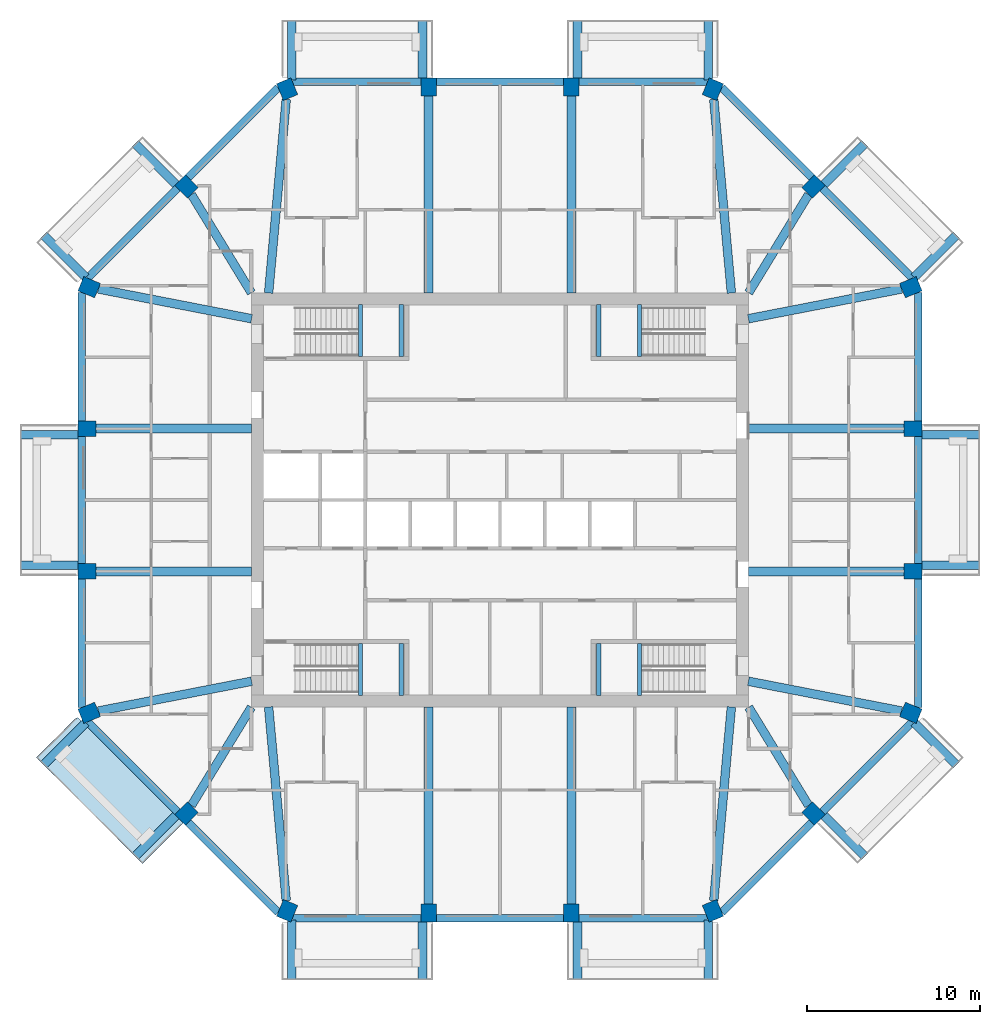
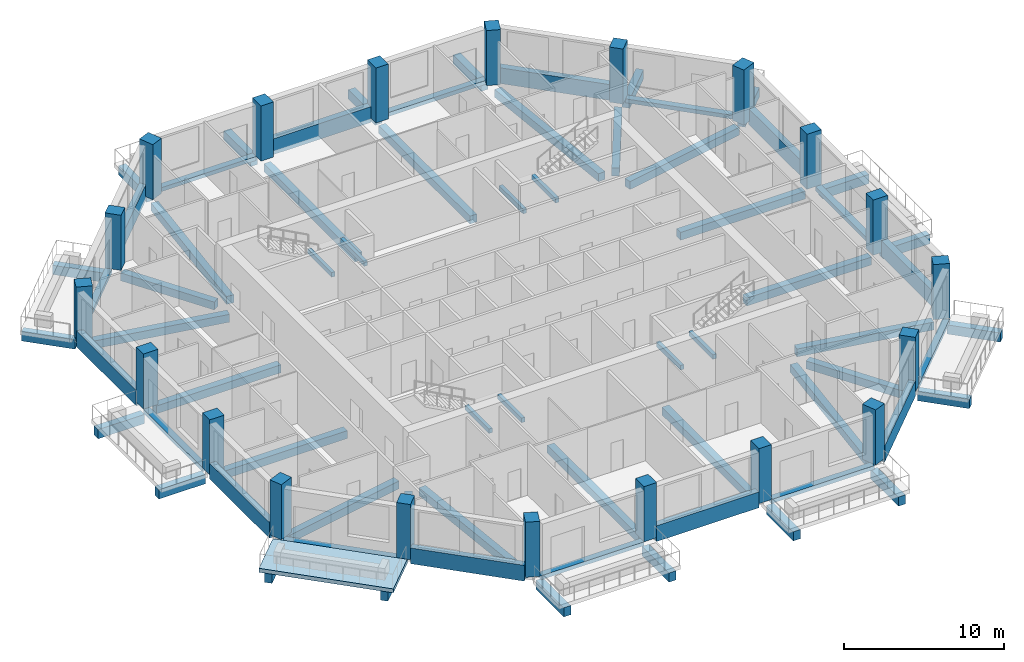
# One storey, part 1 of 12: 68 beams, 20 columns, 1 slab.
"""IFC4 building model written with IfcOpenShell, lengths in metres."""

from ifc_helpers import new_model, si_unit, direction, frame, origin, origin_2d, place, context, subcontext, project, spatial, polyline, rectangle, outline, extrude, material, layer, layer_set, material_profile, profile_set, type_object, element, save


model = new_model("IFC4")

# Units and contexts
model_context = context("Model", 3, precision=1e-05, world=origin(), true_north=direction((0.0, 1.0)))
body_context = subcontext(model_context, "Body", "Model", "MODEL_VIEW")
ifc_project = project(units=[si_unit("LENGTHUNIT", "METRE"), si_unit("AREAUNIT", "SQUARE_METRE"), si_unit("VOLUMEUNIT", "CUBIC_METRE"), si_unit("PLANEANGLEUNIT", "RADIAN"), si_unit("MASSUNIT", "GRAM", prefix="KILO")], contexts=[model_context])

# Site, building, storey
site_placement = place(None, origin())
site = spatial("IfcSite", under=ifc_project, at=site_placement, CompositionType="ELEMENT")
building_placement = place(site_placement, origin())
building = spatial("IfcBuilding", under=site, at=building_placement, Name="Msitu Wima Residences", CompositionType="ELEMENT")
storey_placement = place(building_placement, frame((0.0, 0.0, 179.10009765625)))
storey = spatial("IfcBuildingStorey", under=building, at=storey_placement, Name="L41", CompositionType="ELEMENT", Elevation=179.10009765625)

# Columns
ifc_material_1 = material(Name="Concrete C60/75", Category="concrete")
ifc_material_profile_1 = material_profile(ifc_material_1, rectangle(XDim=0.89990234375, YDim=1.050048828125, at=origin_2d()), Name="RC 900x1050")
ifc_profile_set_1 = profile_set([ifc_material_profile_1], Name="Concrete C60/75")
column_type = type_object("IfcColumnType", Name="Column RC 900x1050 Concrete C60/75", PredefinedType="COLUMN", material=ifc_profile_set_1)
for number, where, z_axis, x_axis, name in (
    (1, (23.792724609375, -12.325927734375, 0.0), (0.0, 0.0, 1.0), (0.382683496864, 0.923879505795, 0.0), "Column L41 C-E0"),
    (2, (23.925048828125, -4.13720703125, 0.0), (0.0, 0.0, 1.0), (0.0, 1.0, 0.0), "Column L41 C-E1"),
    (3, (23.925048828125, 4.13720703125, 0.0), (0.0, 0.0, 1.0), (0.0, 1.0, 0.0), "Column L41 C-E2"),
    (4, (23.792724609375, 12.325927734375, 0.0), (0.0, 0.0, 1.0), (-0.382683496864, 0.923879505795, 0.0), "Column L41 C-NE0"),
    (5, (18.15283203125, 18.15283203125, 0.0), (0.0, 0.0, 1.0), (-0.707106781187, 0.707106781187, 0.0), "Column L41 C-NE1"),
    (6, (12.325927734375, 23.792724609375, 0.0), (0.0, 0.0, 1.0), (-0.923879505795, 0.382683496864, 0.0), "Column L41 C-N0"),
    (7, (4.13720703125, 23.925048828125, 0.0), (0.0, 0.0, 1.0), (-1.0, 0.0, 0.0), "Column L41 C-N1"),
    (8, (-4.13720703125, 23.925048828125, 0.0), (0.0, 0.0, 1.0), (-1.0, 0.0, 0.0), "Column L41 C-N2"),
    (9, (-12.325927734375, 23.792724609375, 0.0), (0.0, 0.0, 1.0), (-0.923879505795, -0.382683496864, 0.0), "Column L41 C-NW0"),
    (10, (-18.15283203125, 18.15283203125, 0.0), (0.0, 0.0, 1.0), (-0.707106781187, -0.707106781187, 0.0), "Column L41 C-NW1"),
    (11, (-23.792724609375, 12.325927734375, 0.0), (0.0, 0.0, 1.0), (-0.382683496864, -0.923879505795, 0.0), "Column L41 C-W0"),
    (12, (-23.925048828125, 4.13720703125, 0.0), (0.0, 0.0, 1.0), (0.0, -1.0, 0.0), "Column L41 C-W1"),
    (13, (-23.925048828125, -4.13720703125, 0.0), (0.0, 0.0, 1.0), (0.0, -1.0, 0.0), "Column L41 C-W2"),
    (14, (-23.792724609375, -12.325927734375, 0.0), (0.0, 0.0, 1.0), (0.382683496864, -0.923879505795, 0.0), "Column L41 C-SW0"),
    (15, (-18.15283203125, -18.15283203125, 0.0), (0.0, 0.0, 1.0), (0.707106781187, -0.707106781187, 0.0), "Column L41 C-SW1"),
    (16, (-12.325927734375, -23.792724609375, 0.0), (0.0, 0.0, 1.0), (0.923879505795, -0.382683496864, 0.0), "Column L41 C-S0"),
    (17, (-4.13720703125, -23.925048828125, 0.0), (0.0, 0.0, 1.0), (1.0, 0.0, 0.0), "Column L41 C-S1"),
    (18, (4.13720703125, -23.925048828125, 0.0), (0.0, 0.0, 1.0), (1.0, 0.0, 0.0), "Column L41 C-S2"),
    (19, (12.325927734375, -23.792724609375, 0.0), (0.0, 0.0, 1.0), (0.923879505795, 0.382683496864, 0.0), "Column L41 C-SE0"),
    (20, (18.15283203125, -18.15283203125, 0.0), (0.0, 0.0, 1.0), (0.707106781187, 0.707106781187, 0.0), "Column L41 C-SE1"),
):
    element("IfcColumn", number, at=place(storey_placement, frame(where, z_axis=z_axis, x_axis=x_axis)), inside=storey, type_object=column_type, Name=name, PredefinedType="COLUMN", context=body_context, shape_type="SweptSolid", body=[
        extrude(rectangle(XDim=0.89990234375, YDim=1.050048828125, at=origin_2d()), origin(), (0.0, 0.0, 1.0), 4.199951171875),
    ])

# Beams
ifc_material_2 = material(Name="Concrete C50/60", Category="concrete")
ifc_material_profile_2 = material_profile(ifc_material_2, rectangle(XDim=0.5, YDim=0.60009765625, at=origin_2d()), Name="RC 500x600")
ifc_profile_set_2 = profile_set([ifc_material_profile_2], Name="Concrete C50/60")
beam_type_1 = type_object("IfcBeamType", Name="Beam RC 500x600 Concrete C50/60", PredefinedType="BEAM", material=ifc_profile_set_2)
beam_1_placement = place(storey_placement, frame((23.266845703125, -12.2236328125, -0.550048828125), z_axis=(-0.981627328559, 0.190808248841, 0.0), x_axis=(-0.190808248841, -0.981627328559, 0.0)))
element("IfcBeam", 21, at=beam_1_placement, inside=storey, type_object=beam_type_1, Name="Beam L41 C-E0", PredefinedType="BEAM", context=body_context, shape_type="SweptSolid", body=[
    extrude(rectangle(XDim=0.5, YDim=0.60009765625, at=origin_2d()), origin(), (0.0, 0.0, 1.0), 9.044921875),
])
for number, where, z_axis, x_axis, name in (
    (22, (23.39990234375, -4.13720703125, -0.550048828125), (-1.0, 0.0, 0.0), (0.0, -1.0, 0.0), "Beam L41 C-E1"),
    (23, (23.39990234375, 4.13720703125, -0.550048828125), (-1.0, 0.0, 0.0), (0.0, -1.0, 0.0), "Beam L41 C-E2"),
):
    element("IfcBeam", number, at=place(storey_placement, frame(where, z_axis=z_axis, x_axis=x_axis)), inside=storey, type_object=beam_type_1, Name=name, PredefinedType="BEAM", context=body_context, shape_type="SweptSolid", body=[
        extrude(rectangle(XDim=0.5, YDim=0.60009765625, at=origin_2d()), origin(), (0.0, 0.0, 1.0), 9.0),
    ])
beam_2_placement = place(storey_placement, frame((23.266845703125, 12.2236328125, -0.550048828125), z_axis=(-0.981627328559, -0.190808248841, 0.0), x_axis=(0.190808248841, -0.981627328559, 0.0)))
element("IfcBeam", 24, at=beam_2_placement, inside=storey, type_object=beam_type_1, Name="Beam L41 C-NE0", PredefinedType="BEAM", context=body_context, shape_type="SweptSolid", body=[
    extrude(rectangle(XDim=0.5, YDim=0.60009765625, at=origin_2d()), origin(), (0.0, 0.0, 1.0), 9.044921875),
])
beam_3_placement = place(storey_placement, frame((17.87158203125, 17.691650390625, -0.550048828125), z_axis=(-0.520734381113, -0.853718750132, 0.0), x_axis=(0.853718750132, -0.520734381113, 0.0)))
element("IfcBeam", 25, at=beam_3_placement, inside=storey, type_object=beam_type_1, Name="Beam L41 C-NE1", PredefinedType="BEAM", context=body_context, shape_type="SweptSolid", body=[
    extrude(rectangle(XDim=0.5, YDim=0.60009765625, at=origin_2d()), origin(), (0.0, 0.0, 1.0), 6.6669921875),
])
beam_4_placement = place(storey_placement, frame((12.379638671875, 23.2021484375, -0.550048828125), z_axis=(0.090713636077, -0.995877018627, 0.0), x_axis=(0.995877018627, 0.090713636077, 0.0)))
element("IfcBeam", 26, at=beam_4_placement, inside=storey, type_object=beam_type_1, Name="Beam L41 C-N0", PredefinedType="BEAM", context=body_context, shape_type="SweptSolid", body=[
    extrude(rectangle(XDim=0.5, YDim=0.60009765625, at=origin_2d()), origin(), (0.0, 0.0, 1.0), 11.260498046875),
])
for number, where, z_axis, x_axis, name in (
    (27, (4.13720703125, 23.39990234375, -0.550048828125), (0.0, -1.0, 0.0), (1.0, 0.0, 0.0), "Beam L41 C-N1"),
    (28, (-4.13720703125, 23.39990234375, -0.550048828125), (0.0, -1.0, 0.0), (1.0, 0.0, 0.0), "Beam L41 C-N2"),
):
    element("IfcBeam", number, at=place(storey_placement, frame(where, z_axis=z_axis, x_axis=x_axis)), inside=storey, type_object=beam_type_1, Name=name, PredefinedType="BEAM", context=body_context, shape_type="SweptSolid", body=[
        extrude(rectangle(XDim=0.5, YDim=0.60009765625, at=origin_2d()), origin(), (0.0, 0.0, 1.0), 11.39990234375),
    ])
beam_5_placement = place(storey_placement, frame((-12.379638671875, 23.2021484375, -0.550048828125), z_axis=(-0.090713636077, -0.995877018627, 0.0), x_axis=(0.995877018627, -0.090713636077, 0.0)))
element("IfcBeam", 29, at=beam_5_placement, inside=storey, type_object=beam_type_1, Name="Beam L41 C-NW0", PredefinedType="BEAM", context=body_context, shape_type="SweptSolid", body=[
    extrude(rectangle(XDim=0.5, YDim=0.60009765625, at=origin_2d()), origin(), (0.0, 0.0, 1.0), 11.260498046875),
])
beam_6_placement = place(storey_placement, frame((-17.87158203125, 17.691650390625, -0.550048828125), z_axis=(0.520734381113, -0.853718750132, 0.0), x_axis=(0.853718750132, 0.520734381113, 0.0)))
element("IfcBeam", 30, at=beam_6_placement, inside=storey, type_object=beam_type_1, Name="Beam L41 C-NW1", PredefinedType="BEAM", context=body_context, shape_type="SweptSolid", body=[
    extrude(rectangle(XDim=0.5, YDim=0.60009765625, at=origin_2d()), origin(), (0.0, 0.0, 1.0), 6.6669921875),
])
beam_7_placement = place(storey_placement, frame((-23.266845703125, 12.2236328125, -0.550048828125), z_axis=(0.981627328559, -0.190808248841, 0.0), x_axis=(0.190808248841, 0.981627328559, 0.0)))
element("IfcBeam", 31, at=beam_7_placement, inside=storey, type_object=beam_type_1, Name="Beam L41 C-W0", PredefinedType="BEAM", context=body_context, shape_type="SweptSolid", body=[
    extrude(rectangle(XDim=0.5, YDim=0.60009765625, at=origin_2d()), origin(), (0.0, 0.0, 1.0), 9.044921875),
])
for number, where, z_axis, x_axis, name in (
    (32, (-23.39990234375, 4.13720703125, -0.550048828125), (1.0, 0.0, 0.0), (0.0, 1.0, 0.0), "Beam L41 C-W1"),
    (33, (-23.39990234375, -4.13720703125, -0.550048828125), (1.0, 0.0, 0.0), (0.0, 1.0, 0.0), "Beam L41 C-W2"),
):
    element("IfcBeam", number, at=place(storey_placement, frame(where, z_axis=z_axis, x_axis=x_axis)), inside=storey, type_object=beam_type_1, Name=name, PredefinedType="BEAM", context=body_context, shape_type="SweptSolid", body=[
        extrude(rectangle(XDim=0.5, YDim=0.60009765625, at=origin_2d()), origin(), (0.0, 0.0, 1.0), 9.0),
    ])
beam_8_placement = place(storey_placement, frame((-23.266845703125, -12.2236328125, -0.550048828125), z_axis=(0.981627328559, 0.190808248841, 0.0), x_axis=(-0.190808248841, 0.981627328559, 0.0)))
element("IfcBeam", 34, at=beam_8_placement, inside=storey, type_object=beam_type_1, Name="Beam L41 C-SW0", PredefinedType="BEAM", context=body_context, shape_type="SweptSolid", body=[
    extrude(rectangle(XDim=0.5, YDim=0.60009765625, at=origin_2d()), origin(), (0.0, 0.0, 1.0), 9.044921875),
])
beam_9_placement = place(storey_placement, frame((-17.87158203125, -17.691650390625, -0.550048828125), z_axis=(0.520734381113, 0.853718750132, 0.0), x_axis=(-0.853718750132, 0.520734381113, 0.0)))
element("IfcBeam", 35, at=beam_9_placement, inside=storey, type_object=beam_type_1, Name="Beam L41 C-SW1", PredefinedType="BEAM", context=body_context, shape_type="SweptSolid", body=[
    extrude(rectangle(XDim=0.5, YDim=0.60009765625, at=origin_2d()), origin(), (0.0, 0.0, 1.0), 6.6669921875),
])
beam_10_placement = place(storey_placement, frame((-12.379638671875, -23.2021484375, -0.550048828125), z_axis=(-0.090713636077, 0.995877018627, 0.0), x_axis=(-0.995877018627, -0.090713636077, 0.0)))
element("IfcBeam", 36, at=beam_10_placement, inside=storey, type_object=beam_type_1, Name="Beam L41 C-S0", PredefinedType="BEAM", context=body_context, shape_type="SweptSolid", body=[
    extrude(rectangle(XDim=0.5, YDim=0.60009765625, at=origin_2d()), origin(), (0.0, 0.0, 1.0), 11.260498046875),
])
for number, where, z_axis, x_axis, name in (
    (37, (-4.13720703125, -23.39990234375, -0.550048828125), (0.0, 1.0, 0.0), (-1.0, 0.0, 0.0), "Beam L41 C-S1"),
    (38, (4.13720703125, -23.39990234375, -0.550048828125), (0.0, 1.0, 0.0), (-1.0, 0.0, 0.0), "Beam L41 C-S2"),
):
    element("IfcBeam", number, at=place(storey_placement, frame(where, z_axis=z_axis, x_axis=x_axis)), inside=storey, type_object=beam_type_1, Name=name, PredefinedType="BEAM", context=body_context, shape_type="SweptSolid", body=[
        extrude(rectangle(XDim=0.5, YDim=0.60009765625, at=origin_2d()), origin(), (0.0, 0.0, 1.0), 11.39990234375),
    ])
beam_11_placement = place(storey_placement, frame((12.379638671875, -23.2021484375, -0.550048828125), z_axis=(0.090713636077, 0.995877018627, 0.0), x_axis=(-0.995877018627, 0.090713636077, 0.0)))
element("IfcBeam", 39, at=beam_11_placement, inside=storey, type_object=beam_type_1, Name="Beam L41 C-SE0", PredefinedType="BEAM", context=body_context, shape_type="SweptSolid", body=[
    extrude(rectangle(XDim=0.5, YDim=0.60009765625, at=origin_2d()), origin(), (0.0, 0.0, 1.0), 11.260498046875),
])
beam_12_placement = place(storey_placement, frame((17.87158203125, -17.691650390625, -0.550048828125), z_axis=(-0.520734381113, 0.853718750132, 0.0), x_axis=(-0.853718750132, -0.520734381113, 0.0)))
element("IfcBeam", 40, at=beam_12_placement, inside=storey, type_object=beam_type_1, Name="Beam L41 C-SE1", PredefinedType="BEAM", context=body_context, shape_type="SweptSolid", body=[
    extrude(rectangle(XDim=0.5, YDim=0.60009765625, at=origin_2d()), origin(), (0.0, 0.0, 1.0), 6.6669921875),
])
ifc_material_profile_3 = material_profile(ifc_material_2, rectangle(XDim=0.5, YDim=0.699951171875, at=origin_2d()), Name="RC 500x700")
ifc_profile_set_3 = profile_set([ifc_material_profile_3], Name="Concrete C50/60")
beam_type_2 = type_object("IfcBeamType", Name="Cantilever beam RC 500x700 Concrete C50/60", PredefinedType="BEAM", material=ifc_profile_set_3)
for number, where, z_axis, x_axis, name in (
    (41, (24.449951171875, -3.787353515625, -0.650146484375), (1.0, 0.0, 0.0), (0.0, 1.0, 0.0), "Cantilever beam L41 BA-E1 A"),
    (42, (24.449951171875, 3.787353515625, -0.650146484375), (1.0, 0.0, 0.0), (0.0, 1.0, 0.0), "Cantilever beam L41 BA-E1 B"),
):
    element("IfcBeam", number, at=place(storey_placement, frame(where, z_axis=z_axis, x_axis=x_axis)), inside=storey, type_object=beam_type_2, Name=name, PredefinedType="BEAM", context=body_context, shape_type="SweptSolid", body=[
        extrude(rectangle(XDim=0.5, YDim=0.699951171875, at=origin_2d()), origin(), (0.0, 0.0, 1.0), 3.35009765625),
    ])
beam_13_placement = place(storey_placement, frame((23.986572265625, 12.893310546875, -0.650146484375), z_axis=(0.707106781187, 0.707106781187, 0.0), x_axis=(-0.707106781187, 0.707106781187, 0.0)))
element("IfcBeam", 43, at=beam_13_placement, inside=storey, type_object=beam_type_2, Name="Cantilever beam L41 BA-NE0 A", PredefinedType="BEAM", context=body_context, shape_type="SweptSolid", body=[
    extrude(rectangle(XDim=0.5, YDim=0.699951171875, at=origin_2d()), origin(), (0.0, 0.0, 1.0), 3.468994140625),
])
beam_14_placement = place(storey_placement, frame((18.771484375, 18.276611328125, -0.650146484375), z_axis=(0.707106781187, 0.707106781187, 0.0), x_axis=(-0.707106781187, 0.707106781187, 0.0)))
element("IfcBeam", 44, at=beam_14_placement, inside=storey, type_object=beam_type_2, Name="Cantilever beam L41 BA-NE0 B", PredefinedType="BEAM", context=body_context, shape_type="SweptSolid", body=[
    extrude(rectangle(XDim=0.5, YDim=0.699951171875, at=origin_2d()), origin(), (0.0, 0.0, 1.0), 3.35009765625),
])
beam_15_placement = place(storey_placement, frame((12.061767578125, 24.330810546875, -0.650146484375), z_axis=(0.0, 1.0, 0.0), x_axis=(-1.0, 0.0, 0.0)))
element("IfcBeam", 45, at=beam_15_placement, inside=storey, type_object=beam_type_2, Name="Cantilever beam L41 BA-N0 A", PredefinedType="BEAM", context=body_context, shape_type="SweptSolid", body=[
    extrude(rectangle(XDim=0.5, YDim=0.699951171875, at=origin_2d()), origin(), (0.0, 0.0, 1.0), 3.46923828125),
])
for number, where, z_axis, x_axis, name in (
    (46, (4.4873046875, 24.449951171875, -0.650146484375), (0.0, 1.0, 0.0), (-1.0, 0.0, 0.0), "Cantilever beam L41 BA-N0 B"),
    (47, (-4.4873046875, 24.449951171875, -0.650146484375), (0.0, 1.0, 0.0), (-1.0, 0.0, 0.0), "Cantilever beam L41 BA-N2 A"),
):
    element("IfcBeam", number, at=place(storey_placement, frame(where, z_axis=z_axis, x_axis=x_axis)), inside=storey, type_object=beam_type_2, Name=name, PredefinedType="BEAM", context=body_context, shape_type="SweptSolid", body=[
        extrude(rectangle(XDim=0.5, YDim=0.699951171875, at=origin_2d()), origin(), (0.0, 0.0, 1.0), 3.35009765625),
    ])
beam_16_placement = place(storey_placement, frame((-12.061767578125, 24.330810546875, -0.650146484375), z_axis=(0.0, 1.0, 0.0), x_axis=(-1.0, 0.0, 0.0)))
element("IfcBeam", 48, at=beam_16_placement, inside=storey, type_object=beam_type_2, Name="Cantilever beam L41 BA-N2 B", PredefinedType="BEAM", context=body_context, shape_type="SweptSolid", body=[
    extrude(rectangle(XDim=0.5, YDim=0.699951171875, at=origin_2d()), origin(), (0.0, 0.0, 1.0), 3.46923828125),
])
beam_17_placement = place(storey_placement, frame((-18.771484375, 18.276611328125, -0.650146484375), z_axis=(-0.707106781187, 0.707106781187, 0.0), x_axis=(-0.707106781187, -0.707106781187, 0.0)))
element("IfcBeam", 49, at=beam_17_placement, inside=storey, type_object=beam_type_2, Name="Cantilever beam L41 BA-NW1 A", PredefinedType="BEAM", context=body_context, shape_type="SweptSolid", body=[
    extrude(rectangle(XDim=0.5, YDim=0.699951171875, at=origin_2d()), origin(), (0.0, 0.0, 1.0), 3.35009765625),
])
beam_18_placement = place(storey_placement, frame((-23.986572265625, 12.893310546875, -0.650146484375), z_axis=(-0.707106781187, 0.707106781187, 0.0), x_axis=(-0.707106781187, -0.707106781187, 0.0)))
element("IfcBeam", 50, at=beam_18_placement, inside=storey, type_object=beam_type_2, Name="Cantilever beam L41 BA-NW1 B", PredefinedType="BEAM", context=body_context, shape_type="SweptSolid", body=[
    extrude(rectangle(XDim=0.5, YDim=0.699951171875, at=origin_2d()), origin(), (0.0, 0.0, 1.0), 3.468994140625),
])
for number, where, z_axis, x_axis, name in (
    (51, (-24.449951171875, 3.787353515625, -0.650146484375), (-1.0, 0.0, 0.0), (0.0, -1.0, 0.0), "Cantilever beam L41 BA-W1 A"),
    (52, (-24.449951171875, -3.787353515625, -0.650146484375), (-1.0, 0.0, 0.0), (0.0, -1.0, 0.0), "Cantilever beam L41 BA-W1 B"),
):
    element("IfcBeam", number, at=place(storey_placement, frame(where, z_axis=z_axis, x_axis=x_axis)), inside=storey, type_object=beam_type_2, Name=name, PredefinedType="BEAM", context=body_context, shape_type="SweptSolid", body=[
        extrude(rectangle(XDim=0.5, YDim=0.699951171875, at=origin_2d()), origin(), (0.0, 0.0, 1.0), 3.35009765625),
    ])
beam_19_placement = place(storey_placement, frame((-23.986572265625, -12.893310546875, -0.650146484375), z_axis=(-0.707106781187, -0.707106781187, 0.0), x_axis=(0.707106781187, -0.707106781187, 0.0)))
element("IfcBeam", 53, at=beam_19_placement, inside=storey, type_object=beam_type_2, Name="Cantilever beam L41 BA-SW0 A", PredefinedType="BEAM", context=body_context, shape_type="SweptSolid", body=[
    extrude(rectangle(XDim=0.5, YDim=0.699951171875, at=origin_2d()), origin(), (0.0, 0.0, 1.0), 3.468994140625),
])
beam_20_placement = place(storey_placement, frame((-18.771484375, -18.276611328125, -0.650146484375), z_axis=(-0.707106781187, -0.707106781187, 0.0), x_axis=(0.707106781187, -0.707106781187, 0.0)))
element("IfcBeam", 54, at=beam_20_placement, inside=storey, type_object=beam_type_2, Name="Cantilever beam L41 BA-SW0 B", PredefinedType="BEAM", context=body_context, shape_type="SweptSolid", body=[
    extrude(rectangle(XDim=0.5, YDim=0.699951171875, at=origin_2d()), origin(), (0.0, 0.0, 1.0), 3.35009765625),
])
beam_21_placement = place(storey_placement, frame((-12.061767578125, -24.330810546875, -0.650146484375), z_axis=(0.0, -1.0, 0.0), x_axis=(1.0, 0.0, 0.0)))
element("IfcBeam", 55, at=beam_21_placement, inside=storey, type_object=beam_type_2, Name="Cantilever beam L41 BA-S0 A", PredefinedType="BEAM", context=body_context, shape_type="SweptSolid", body=[
    extrude(rectangle(XDim=0.5, YDim=0.699951171875, at=origin_2d()), origin(), (0.0, 0.0, 1.0), 3.46923828125),
])
for number, where, z_axis, x_axis, name in (
    (56, (-4.4873046875, -24.449951171875, -0.650146484375), (0.0, -1.0, 0.0), (1.0, 0.0, 0.0), "Cantilever beam L41 BA-S0 B"),
    (57, (4.4873046875, -24.449951171875, -0.650146484375), (0.0, -1.0, 0.0), (1.0, 0.0, 0.0), "Cantilever beam L41 BA-S2 A"),
):
    element("IfcBeam", number, at=place(storey_placement, frame(where, z_axis=z_axis, x_axis=x_axis)), inside=storey, type_object=beam_type_2, Name=name, PredefinedType="BEAM", context=body_context, shape_type="SweptSolid", body=[
        extrude(rectangle(XDim=0.5, YDim=0.699951171875, at=origin_2d()), origin(), (0.0, 0.0, 1.0), 3.35009765625),
    ])
beam_22_placement = place(storey_placement, frame((12.061767578125, -24.330810546875, -0.650146484375), z_axis=(0.0, -1.0, 0.0), x_axis=(1.0, 0.0, 0.0)))
element("IfcBeam", 58, at=beam_22_placement, inside=storey, type_object=beam_type_2, Name="Cantilever beam L41 BA-S2 B", PredefinedType="BEAM", context=body_context, shape_type="SweptSolid", body=[
    extrude(rectangle(XDim=0.5, YDim=0.699951171875, at=origin_2d()), origin(), (0.0, 0.0, 1.0), 3.46923828125),
])
beam_23_placement = place(storey_placement, frame((18.771484375, -18.276611328125, -0.650146484375), z_axis=(0.707106781187, -0.707106781187, 0.0), x_axis=(0.707106781187, 0.707106781187, 0.0)))
element("IfcBeam", 59, at=beam_23_placement, inside=storey, type_object=beam_type_2, Name="Cantilever beam L41 BA-SE1 A", PredefinedType="BEAM", context=body_context, shape_type="SweptSolid", body=[
    extrude(rectangle(XDim=0.5, YDim=0.699951171875, at=origin_2d()), origin(), (0.0, 0.0, 1.0), 3.35009765625),
])
beam_24_placement = place(storey_placement, frame((23.986572265625, -12.893310546875, -0.650146484375), z_axis=(0.707106781187, -0.707106781187, 0.0), x_axis=(0.707106781187, 0.707106781187, 0.0)))
element("IfcBeam", 60, at=beam_24_placement, inside=storey, type_object=beam_type_2, Name="Cantilever beam L41 BA-SE1 B", PredefinedType="BEAM", context=body_context, shape_type="SweptSolid", body=[
    extrude(rectangle(XDim=0.5, YDim=0.699951171875, at=origin_2d()), origin(), (0.0, 0.0, 1.0), 3.468994140625),
])
ifc_material_profile_4 = material_profile(ifc_material_2, rectangle(XDim=0.449951171875, YDim=0.300048828125, at=origin_2d()), Name="RC 450x300")
ifc_profile_set_4 = profile_set([ifc_material_profile_4], Name="Concrete C50/60")
beam_type_3 = type_object("IfcBeamType", Name="Edge beam RC 450x300 Concrete C50/60", PredefinedType="SPANDREL", material=ifc_profile_set_4)
beam_25_placement = place(storey_placement, frame((24.22509765625, -3.687255859375, -0.150146484375), z_axis=(0.0, 1.0, 0.0), x_axis=(-1.0, 0.0, 0.0)))
element("IfcBeam", 61, at=beam_25_placement, inside=storey, type_object=beam_type_3, Name="Spandrel L41 E1", PredefinedType="SPANDREL", context=body_context, shape_type="SweptSolid", body=[
    extrude(rectangle(XDim=0.449951171875, YDim=0.300048828125, at=origin_2d()), origin(), (0.0, 0.0, 1.0), 7.37451171875),
])
beam_26_placement = place(storey_placement, frame((23.88916015625, 12.8408203125, -0.150146484375), z_axis=(-0.707106781187, 0.707106781187, 0.0), x_axis=(-0.707106781187, -0.707106781187, 0.0)))
element("IfcBeam", 62, at=beam_26_placement, inside=storey, type_object=beam_type_3, Name="Spandrel L41 NE0", PredefinedType="SPANDREL", context=body_context, shape_type="SweptSolid", body=[
    extrude(rectangle(XDim=0.449951171875, YDim=0.300048828125, at=origin_2d()), origin(), (0.0, 0.0, 1.0), 7.362548828125),
])
for number, where, z_axis, x_axis, name in (
    (63, (12.02978515625, 24.22509765625, -0.150146484375), (-1.0, 0.0, 0.0), (0.0, -1.0, 0.0), "Spandrel L41 N0"),
    (64, (-4.587158203125, 24.22509765625, -0.150146484375), (-1.0, 0.0, 0.0), (0.0, -1.0, 0.0), "Spandrel L41 N2"),
):
    element("IfcBeam", number, at=place(storey_placement, frame(where, z_axis=z_axis, x_axis=x_axis)), inside=storey, type_object=beam_type_3, Name=name, PredefinedType="SPANDREL", context=body_context, shape_type="SweptSolid", body=[
        extrude(rectangle(XDim=0.449951171875, YDim=0.300048828125, at=origin_2d()), origin(), (0.0, 0.0, 1.0), 7.442626953125),
    ])
beam_27_placement = place(storey_placement, frame((-18.68310546875, 18.046875, -0.150146484375), z_axis=(-0.707106781187, -0.707106781187, 0.0), x_axis=(0.707106781187, -0.707106781187, 0.0)))
element("IfcBeam", 65, at=beam_27_placement, inside=storey, type_object=beam_type_3, Name="Spandrel L41 NW1", PredefinedType="SPANDREL", context=body_context, shape_type="SweptSolid", body=[
    extrude(rectangle(XDim=0.449951171875, YDim=0.300048828125, at=origin_2d()), origin(), (0.0, 0.0, 1.0), 7.362548828125),
])
beam_28_placement = place(storey_placement, frame((-24.22509765625, 3.687255859375, -0.150146484375), z_axis=(0.0, -1.0, 0.0), x_axis=(1.0, 0.0, 0.0)))
element("IfcBeam", 66, at=beam_28_placement, inside=storey, type_object=beam_type_3, Name="Spandrel L41 W1", PredefinedType="SPANDREL", context=body_context, shape_type="SweptSolid", body=[
    extrude(rectangle(XDim=0.449951171875, YDim=0.300048828125, at=origin_2d()), origin(), (0.0, 0.0, 1.0), 7.37451171875),
])
beam_29_placement = place(storey_placement, frame((-23.88916015625, -12.8408203125, -0.150146484375), z_axis=(0.707106781187, -0.707106781187, 0.0), x_axis=(0.707106781187, 0.707106781187, 0.0)))
element("IfcBeam", 67, at=beam_29_placement, inside=storey, type_object=beam_type_3, Name="Spandrel L41 SW0", PredefinedType="SPANDREL", context=body_context, shape_type="SweptSolid", body=[
    extrude(rectangle(XDim=0.449951171875, YDim=0.300048828125, at=origin_2d()), origin(), (0.0, 0.0, 1.0), 7.362548828125),
])
for number, where, z_axis, x_axis, name in (
    (68, (-12.02978515625, -24.22509765625, -0.150146484375), (1.0, 0.0, 0.0), (0.0, 1.0, 0.0), "Spandrel L41 S0"),
    (69, (4.587158203125, -24.22509765625, -0.150146484375), (1.0, 0.0, 0.0), (0.0, 1.0, 0.0), "Spandrel L41 S2"),
):
    element("IfcBeam", number, at=place(storey_placement, frame(where, z_axis=z_axis, x_axis=x_axis)), inside=storey, type_object=beam_type_3, Name=name, PredefinedType="SPANDREL", context=body_context, shape_type="SweptSolid", body=[
        extrude(rectangle(XDim=0.449951171875, YDim=0.300048828125, at=origin_2d()), origin(), (0.0, 0.0, 1.0), 7.442626953125),
    ])
beam_30_placement = place(storey_placement, frame((18.68310546875, -18.046875, -0.150146484375), z_axis=(0.707106781187, 0.707106781187, 0.0), x_axis=(-0.707106781187, 0.707106781187, 0.0)))
element("IfcBeam", 70, at=beam_30_placement, inside=storey, type_object=beam_type_3, Name="Spandrel L41 SE1", PredefinedType="SPANDREL", context=body_context, shape_type="SweptSolid", body=[
    extrude(rectangle(XDim=0.449951171875, YDim=0.300048828125, at=origin_2d()), origin(), (0.0, 0.0, 1.0), 7.362548828125),
])
ifc_material_3 = material(Name="Concrete C40/50", Category="concrete")
ifc_material_profile_5 = material_profile(ifc_material_3, rectangle(XDim=0.25, YDim=0.35009765625, at=origin_2d()), Name="RC 250x350")
ifc_profile_set_5 = profile_set([ifc_material_profile_5], Name="Concrete C40/50")
beam_type_4 = type_object("IfcBeamType", Name="Landing beam RC 250x350", PredefinedType="BEAM", material=ifc_profile_set_5)
for number, where, z_axis, x_axis, name in (
    (71, (-8.074951171875, 8.324951171875, 1.724853515625), (0.0, 1.0, 0.0), (-1.0, 0.0, 0.0), "Stair 1 landing beam"),
    (72, (-5.72509765625, 8.324951171875, 1.724853515625), (0.0, 1.0, 0.0), (-1.0, 0.0, 0.0), "Stair 1 landing beam"),
    (73, (-8.074951171875, -11.324951171875, 1.724853515625), (0.0, 1.0, 0.0), (-1.0, 0.0, 0.0), "Stair 2 landing beam"),
    (74, (-5.72509765625, -11.324951171875, 1.724853515625), (0.0, 1.0, 0.0), (-1.0, 0.0, 0.0), "Stair 2 landing beam"),
    (75, (8.074951171875, 8.324951171875, 1.724853515625), (0.0, 1.0, 0.0), (-1.0, 0.0, 0.0), "Stair 3 landing beam"),
    (76, (5.72509765625, 8.324951171875, 1.724853515625), (0.0, 1.0, 0.0), (-1.0, 0.0, 0.0), "Stair 3 landing beam"),
    (77, (8.074951171875, -11.324951171875, 1.724853515625), (0.0, 1.0, 0.0), (-1.0, 0.0, 0.0), "Stair 4 landing beam"),
    (78, (5.72509765625, -11.324951171875, 1.724853515625), (0.0, 1.0, 0.0), (-1.0, 0.0, 0.0), "Stair 4 landing beam"),
):
    element("IfcBeam", number, at=place(storey_placement, frame(where, z_axis=z_axis, x_axis=x_axis)), inside=storey, type_object=beam_type_4, Name=name, PredefinedType="BEAM", context=body_context, shape_type="SweptSolid", body=[
        extrude(rectangle(XDim=0.25, YDim=0.35009765625, at=origin_2d()), origin(), (0.0, 0.0, 1.0), 3.0),
    ])
ifc_material_profile_6 = material_profile(ifc_material_2, rectangle(XDim=0.449951171875, YDim=1.199951171875, at=origin_2d()), Name="RC 450x1200")
ifc_profile_set_6 = profile_set([ifc_material_profile_6], Name="Concrete C50/60")
beam_type_5 = type_object("IfcBeamType", Name="Spandrel RC 450x1200 Concrete C50/60", PredefinedType="SPANDREL", material=ifc_profile_set_6)
for number, where, z_axis, x_axis, name in (
    (79, (24.22509765625, -12.02978515625, 0.2998046875), (0.0, 1.0, 0.0), (-1.0, 0.0, 0.0), "Spandrel L41 E0"),
    (80, (24.22509765625, 4.587158203125, 0.2998046875), (0.0, 1.0, 0.0), (-1.0, 0.0, 0.0), "Spandrel L41 E2"),
):
    element("IfcBeam", number, at=place(storey_placement, frame(where, z_axis=z_axis, x_axis=x_axis)), inside=storey, type_object=beam_type_5, Name=name, PredefinedType="SPANDREL", context=body_context, shape_type="SweptSolid", body=[
        extrude(rectangle(XDim=0.449951171875, YDim=1.199951171875, at=origin_2d()), origin(), (0.0, 0.0, 1.0), 7.442626953125),
    ])
beam_31_placement = place(storey_placement, frame((18.046875, 18.68310546875, 0.2998046875), z_axis=(-0.707106781187, 0.707106781187, 0.0), x_axis=(-0.707106781187, -0.707106781187, 0.0)))
element("IfcBeam", 81, at=beam_31_placement, inside=storey, type_object=beam_type_5, Name="Spandrel L41 NE1", PredefinedType="SPANDREL", context=body_context, shape_type="SweptSolid", body=[
    extrude(rectangle(XDim=0.449951171875, YDim=1.199951171875, at=origin_2d()), origin(), (0.0, 0.0, 1.0), 7.362548828125),
])
beam_32_placement = place(storey_placement, frame((3.687255859375, 24.22509765625, 0.2998046875), z_axis=(-1.0, 0.0, 0.0), x_axis=(0.0, -1.0, 0.0)))
element("IfcBeam", 82, at=beam_32_placement, inside=storey, type_object=beam_type_5, Name="Spandrel L41 N1", PredefinedType="SPANDREL", context=body_context, shape_type="SweptSolid", body=[
    extrude(rectangle(XDim=0.449951171875, YDim=1.199951171875, at=origin_2d()), origin(), (0.0, 0.0, 1.0), 7.37451171875),
])
beam_33_placement = place(storey_placement, frame((-12.8408203125, 23.88916015625, 0.2998046875), z_axis=(-0.707106781187, -0.707106781187, 0.0), x_axis=(0.707106781187, -0.707106781187, 0.0)))
element("IfcBeam", 83, at=beam_33_placement, inside=storey, type_object=beam_type_5, Name="Spandrel L41 NW0", PredefinedType="SPANDREL", context=body_context, shape_type="SweptSolid", body=[
    extrude(rectangle(XDim=0.449951171875, YDim=1.199951171875, at=origin_2d()), origin(), (0.0, 0.0, 1.0), 7.362548828125),
])
for number, where, z_axis, x_axis, name in (
    (84, (-24.22509765625, 12.02978515625, 0.2998046875), (0.0, -1.0, 0.0), (1.0, 0.0, 0.0), "Spandrel L41 W0"),
    (85, (-24.22509765625, -4.587158203125, 0.2998046875), (0.0, -1.0, 0.0), (1.0, 0.0, 0.0), "Spandrel L41 W2"),
):
    element("IfcBeam", number, at=place(storey_placement, frame(where, z_axis=z_axis, x_axis=x_axis)), inside=storey, type_object=beam_type_5, Name=name, PredefinedType="SPANDREL", context=body_context, shape_type="SweptSolid", body=[
        extrude(rectangle(XDim=0.449951171875, YDim=1.199951171875, at=origin_2d()), origin(), (0.0, 0.0, 1.0), 7.442626953125),
    ])
beam_34_placement = place(storey_placement, frame((-18.046875, -18.68310546875, 0.2998046875), z_axis=(0.707106781187, -0.707106781187, 0.0), x_axis=(0.707106781187, 0.707106781187, 0.0)))
element("IfcBeam", 86, at=beam_34_placement, inside=storey, type_object=beam_type_5, Name="Spandrel L41 SW1", PredefinedType="SPANDREL", context=body_context, shape_type="SweptSolid", body=[
    extrude(rectangle(XDim=0.449951171875, YDim=1.199951171875, at=origin_2d()), origin(), (0.0, 0.0, 1.0), 7.362548828125),
])
beam_35_placement = place(storey_placement, frame((-3.687255859375, -24.22509765625, 0.2998046875), z_axis=(1.0, 0.0, 0.0), x_axis=(0.0, 1.0, 0.0)))
element("IfcBeam", 87, at=beam_35_placement, inside=storey, type_object=beam_type_5, Name="Spandrel L41 S1", PredefinedType="SPANDREL", context=body_context, shape_type="SweptSolid", body=[
    extrude(rectangle(XDim=0.449951171875, YDim=1.199951171875, at=origin_2d()), origin(), (0.0, 0.0, 1.0), 7.37451171875),
])
beam_36_placement = place(storey_placement, frame((12.8408203125, -23.88916015625, 0.2998046875), z_axis=(0.707106781187, 0.707106781187, 0.0), x_axis=(-0.707106781187, 0.707106781187, 0.0)))
element("IfcBeam", 88, at=beam_36_placement, inside=storey, type_object=beam_type_5, Name="Spandrel L41 SE0", PredefinedType="SPANDREL", context=body_context, shape_type="SweptSolid", body=[
    extrude(rectangle(XDim=0.449951171875, YDim=1.199951171875, at=origin_2d()), origin(), (0.0, 0.0, 1.0), 7.362548828125),
])

# Slab
ifc_layer = layer(ifc_material_3, 0.300048828125)
ifc_layer_set = layer_set([ifc_layer], Name="Concrete C40/50")
slab_type = type_object("IfcSlabType", Name="Balcony slab BS300", PredefinedType="FLOOR", material=ifc_layer_set)
slab_placement = place(storey_placement, frame((0.0, 0.0, -0.300048828125)))
element("IfcSlab", 89, at=slab_placement, inside=storey, type_object=slab_type, Name="Balcony SW0 L41", PredefinedType="FLOOR", context=body_context, shape_type="SweptSolid", body=[
    extrude(outline(polyline([(-24.10546875, -12.942626953125), (-24.10546875, -12.942626953125), (-18.347412109375, -18.700927734375), (-20.716064453125, -21.069580078125), (-26.86376953125, -14.922119140625), (-24.603515625, -12.661865234375), (-24.449951171875, -12.59814453125), (-24.10546875, -12.942626953125), (-24.10546875, -12.942626953125)])), origin(), (0.0, 0.0, 1.0), 0.300048828125),
])

save(model, "model.ifc")
